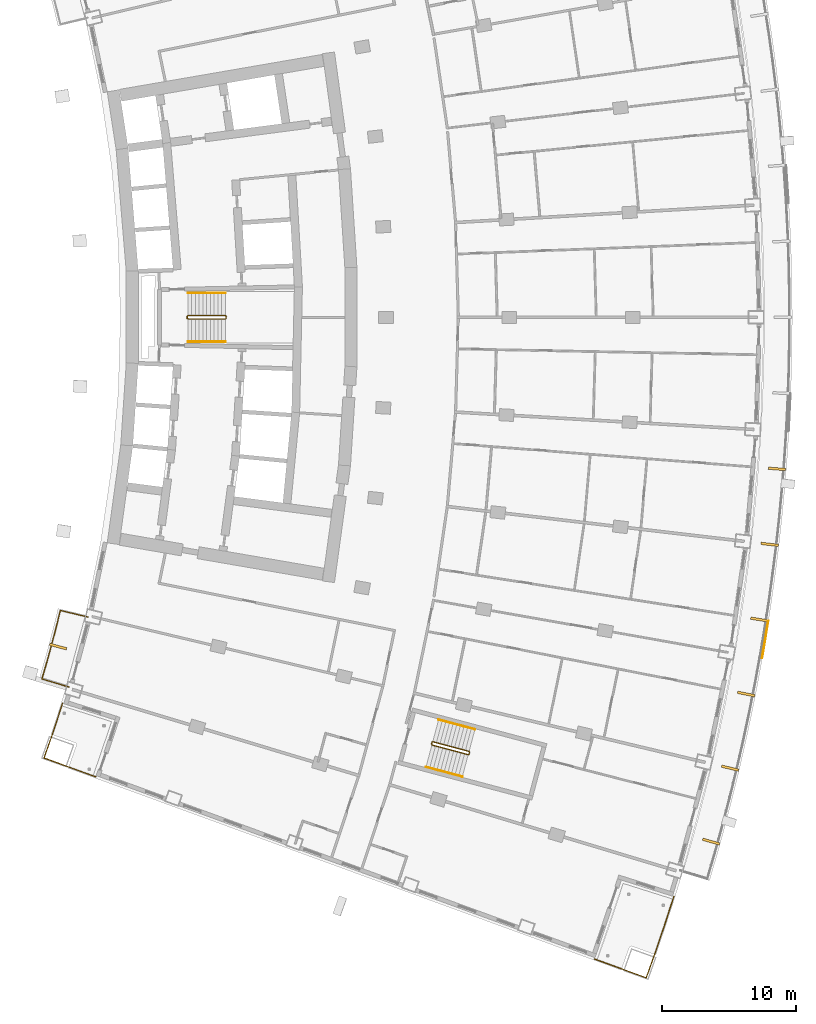
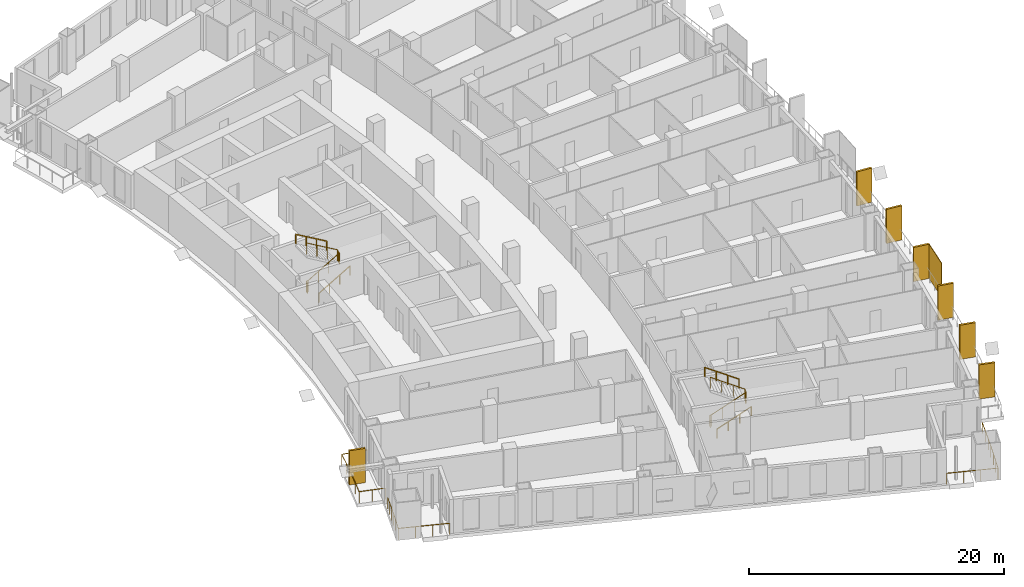
# One storey, part 22 of 24: 9 railings, 8 shading devices.
"""IFC4 building model written with IfcOpenShell, lengths in metres."""

from ifc_helpers import new_model, si_unit, direction, frame, origin, origin_with_axes, origin_2d, place, context, subcontext, project, spatial, rectangle, extrude, material, layer, layer_set, type_object, element, save


model = new_model("IFC4")

# Units and contexts
model_context = context("Model", 3, precision=1e-05, world=origin(), true_north=direction((0.0, 1.0)))
body_context = subcontext(model_context, "Body", "Model", "MODEL_VIEW")
ifc_project = project(units=[si_unit("LENGTHUNIT", "METRE"), si_unit("AREAUNIT", "SQUARE_METRE"), si_unit("VOLUMEUNIT", "CUBIC_METRE"), si_unit("PLANEANGLEUNIT", "RADIAN"), si_unit("MASSUNIT", "GRAM", prefix="KILO")], contexts=[model_context])

# Site, building, storey
site_placement = place(None, origin())
site = spatial("IfcSite", under=ifc_project, at=site_placement, CompositionType="ELEMENT")
building_placement = place(site_placement, origin())
building = spatial("IfcBuilding", under=site, at=building_placement, Name="Alderwake Tower", CompositionType="ELEMENT")
storey_placement = place(building_placement, frame((0.0, 0.0, 39.199951171875)))
storey = spatial("IfcBuildingStorey", under=building, at=storey_placement, Name="L08", CompositionType="ELEMENT", Elevation=39.199951171875)

# Railings
ifc_material_1 = material(Name="Stainless steel 316 rail and posts", Category="steel")
railing_type_1 = type_object("IfcRailingType", Name="Balcony guard 1100", PredefinedType="GUARDRAIL", material=ifc_material_1)
railing_1_placement = place(storey_placement, frame((12.16650390625, 33.435791015625, 0.0)))
element("IfcRailing", 1, at=railing_1_placement, inside=storey, type_object=railing_type_1, Name="Guard BR02", PredefinedType="GUARDRAIL", context=body_context, shape_type="SweptSolid", body=[
    extrude(rectangle(XDim=0.048095703125, YDim=0.048095703125, at=origin_2d()), frame((0.0, 0.0, 1.076171875), z_axis=(-0.958091458885, 0.286462486918, 0.0), x_axis=(-0.286462486918, -0.958091458885, 0.0)), (0.0, 0.0, 1.0), 2.099853515625),
    extrude(rectangle(XDim=0.048095703125, YDim=0.048095703125, at=origin_2d()), frame((-2.011962890625, 0.6015625, 1.076171875), z_axis=(0.279963157487, 0.960010744966, 0.0), x_axis=(-0.960010744966, 0.279963157487, 0.0)), (0.0, 0.0, 1.0), 1.272216796875),
    extrude(rectangle(XDim=0.048095703125, YDim=0.048095703125, at=origin_2d()), frame((-1.65576171875, 1.822998046875, 1.076171875), z_axis=(0.266487604617, 0.963838345671, 0.0), x_axis=(-0.963838345671, 0.266487604617, 0.0)), (0.0, 0.0, 1.0), 1.372314453125),
    extrude(rectangle(XDim=0.048095703125, YDim=0.048095703125, at=origin_2d()), frame((-1.2900390625, 3.145751953125, 1.076171875), z_axis=(0.252487086228, 0.967600264204, 0.0), x_axis=(-0.967600264204, 0.252487086228, 0.0)), (0.0, 0.0, 1.0), 1.3720703125),
    extrude(rectangle(XDim=0.048095703125, YDim=0.048095703125, at=origin_2d()), frame((-0.943603515625, 4.473388671875, 1.076171875), z_axis=(0.238877101641, 0.971049808358, 0.0), x_axis=(-0.971049808358, 0.238877101641, 0.0)), (0.0, 0.0, 1.0), 1.2724609375),
    extrude(rectangle(XDim=0.048095703125, YDim=0.048095703125, at=origin_2d()), frame((-0.6396484375, 5.708984375, 1.076171875), z_axis=(0.972646310656, -0.232291098337, 0.0), x_axis=(0.232291098337, 0.972646310656, 0.0)), (0.0, 0.0, 1.0), 2.099853515625),
    extrude(rectangle(XDim=0.0419921875, YDim=0.0419921875, at=origin_2d()), frame((0.0, 0.0, 0.0), z_axis=(0.0, 0.0, 1.0), x_axis=(-0.958091458885, 0.286462486918, 0.0)), (0.0, 0.0, 1.0), 1.052001953125),
    extrude(rectangle(XDim=0.0419921875, YDim=0.0419921875, at=origin_2d()), frame((-1.005859375, 0.30078125, 0.0), z_axis=(0.0, 0.0, 1.0), x_axis=(-0.958091458885, 0.286462486918, 0.0)), (0.0, 0.0, 1.0), 1.052001953125),
    extrude(rectangle(XDim=0.0419921875, YDim=0.0419921875, at=origin_2d()), frame((-2.011962890625, 0.6015625, 0.0), z_axis=(0.0, 0.0, 1.0), x_axis=(0.279963157487, 0.960010744966, 0.0)), (0.0, 0.0, 1.0), 1.052001953125),
    extrude(rectangle(XDim=0.0419921875, YDim=0.0419921875, at=origin_2d()), frame((-1.65576171875, 1.822998046875, 0.0), z_axis=(0.0, 0.0, 1.0), x_axis=(0.266487604617, 0.963838345671, 0.0)), (0.0, 0.0, 1.0), 1.052001953125),
    extrude(rectangle(XDim=0.0419921875, YDim=0.0419921875, at=origin_2d()), frame((-1.2900390625, 3.145751953125, 0.0), z_axis=(0.0, 0.0, 1.0), x_axis=(0.252487086228, 0.967600264204, 0.0)), (0.0, 0.0, 1.0), 1.052001953125),
    extrude(rectangle(XDim=0.0419921875, YDim=0.0419921875, at=origin_2d()), frame((-0.943603515625, 4.473388671875, 0.0), z_axis=(0.0, 0.0, 1.0), x_axis=(0.238877101641, 0.971049808358, 0.0)), (0.0, 0.0, 1.0), 1.052001953125),
    extrude(rectangle(XDim=0.0419921875, YDim=0.0419921875, at=origin_2d()), frame((-0.6396484375, 5.708984375, 0.0), z_axis=(0.0, 0.0, 1.0), x_axis=(0.972646310656, -0.232291098337, 0.0)), (0.0, 0.0, 1.0), 1.052001953125),
    extrude(rectangle(XDim=0.0419921875, YDim=0.0419921875, at=origin_2d()), frame((0.381591796875, 5.465087890625, 0.0), z_axis=(0.0, 0.0, 1.0), x_axis=(0.972646310656, -0.232291098337, 0.0)), (0.0, 0.0, 1.0), 1.052001953125),
    extrude(rectangle(XDim=0.0419921875, YDim=0.0419921875, at=origin_2d()), frame((1.40283203125, 5.22119140625, 0.0), z_axis=(0.0, 0.0, 1.0), x_axis=(0.972646310656, -0.232291098337, 0.0)), (0.0, 0.0, 1.0), 1.052001953125),
])
railing_2_placement = place(storey_placement, frame((57.2646484375, 17.806884765625, 0.0)))
element("IfcRailing", 2, at=railing_2_placement, inside=storey, type_object=railing_type_1, Name="Guard terrace FS", PredefinedType="GUARDRAIL", context=body_context, shape_type="SweptSolid", body=[
    extrude(rectangle(XDim=0.048095703125, YDim=0.048095703125, at=origin_2d()), frame((0.0, 0.0, 1.076171875), z_axis=(-0.307834426273, -0.951439943455, 0.0), x_axis=(0.951439943455, -0.307834426273, 0.0)), (0.0, 0.0, 1.0), 2.29833984375),
    extrude(rectangle(XDim=0.048095703125, YDim=0.048095703125, at=origin_2d()), frame((-0.70751953125, -2.186767578125, 1.076171875), z_axis=(-0.322259361339, -0.946651416324, 0.0), x_axis=(0.946651416324, -0.322259361339, 0.0)), (0.0, 0.0, 1.0), 2.0986328125),
    extrude(rectangle(XDim=0.048095703125, YDim=0.048095703125, at=origin_2d()), frame((-1.3837890625, -4.17333984375, 1.076171875), z_axis=(-0.335694014626, -0.941971086894, 0.0), x_axis=(0.941971086894, -0.335694014626, 0.0)), (0.0, 0.0, 1.0), 1.99853515625),
    extrude(rectangle(XDim=0.048095703125, YDim=0.048095703125, at=origin_2d()), frame((-2.0546875, -6.055908203125, 1.076171875), z_axis=(-0.939598546558, 0.342278499627, 0.0), x_axis=(-0.342278499627, -0.939598546558, 0.0)), (0.0, 0.0, 1.0), 4.099853515625),
    extrude(rectangle(XDim=0.0419921875, YDim=0.0419921875, at=origin_2d()), frame((0.0, 0.0, 0.0), z_axis=(0.0, 0.0, 1.0), x_axis=(-0.307834426273, -0.951439943455, 0.0)), (0.0, 0.0, 1.0), 1.052001953125),
    extrude(rectangle(XDim=0.0419921875, YDim=0.0419921875, at=origin_2d()), frame((-0.353759765625, -1.09326171875, 0.0), z_axis=(0.0, 0.0, 1.0), x_axis=(-0.307834426273, -0.951439943455, 0.0)), (0.0, 0.0, 1.0), 1.052001953125),
    extrude(rectangle(XDim=0.0419921875, YDim=0.0419921875, at=origin_2d()), frame((-0.70751953125, -2.186767578125, 0.0), z_axis=(0.0, 0.0, 1.0), x_axis=(-0.322259361339, -0.946651416324, 0.0)), (0.0, 0.0, 1.0), 1.052001953125),
    extrude(rectangle(XDim=0.0419921875, YDim=0.0419921875, at=origin_2d()), frame((-1.045654296875, -3.18017578125, 0.0), z_axis=(0.0, 0.0, 1.0), x_axis=(-0.322259361339, -0.946651416324, 0.0)), (0.0, 0.0, 1.0), 1.052001953125),
    extrude(rectangle(XDim=0.0419921875, YDim=0.0419921875, at=origin_2d()), frame((-1.3837890625, -4.17333984375, 0.0), z_axis=(0.0, 0.0, 1.0), x_axis=(-0.335694014626, -0.941971086894, 0.0)), (0.0, 0.0, 1.0), 1.052001953125),
    extrude(rectangle(XDim=0.0419921875, YDim=0.0419921875, at=origin_2d()), frame((-1.71923828125, -5.11474609375, 0.0), z_axis=(0.0, 0.0, 1.0), x_axis=(-0.335694014626, -0.941971086894, 0.0)), (0.0, 0.0, 1.0), 1.052001953125),
    extrude(rectangle(XDim=0.0419921875, YDim=0.0419921875, at=origin_2d()), frame((-2.0546875, -6.055908203125, 0.0), z_axis=(0.0, 0.0, 1.0), x_axis=(-0.939598546558, 0.342278499627, 0.0)), (0.0, 0.0, 1.0), 1.052001953125),
    extrude(rectangle(XDim=0.0419921875, YDim=0.0419921875, at=origin_2d()), frame((-3.3388671875, -5.588134765625, 0.0), z_axis=(0.0, 0.0, 1.0), x_axis=(-0.939598546558, 0.342278499627, 0.0)), (0.0, 0.0, 1.0), 1.052001953125),
    extrude(rectangle(XDim=0.0419921875, YDim=0.0419921875, at=origin_2d()), frame((-4.622802734375, -5.120361328125, 0.0), z_axis=(0.0, 0.0, 1.0), x_axis=(-0.939598546558, 0.342278499627, 0.0)), (0.0, 0.0, 1.0), 1.052001953125),
    extrude(rectangle(XDim=0.0419921875, YDim=0.0419921875, at=origin_2d()), frame((-5.906982421875, -4.652587890625, 0.0), z_axis=(0.0, 0.0, 1.0), x_axis=(-0.939598546558, 0.342278499627, 0.0)), (0.0, 0.0, 1.0), 1.052001953125),
])
railing_3_placement = place(storey_placement, frame((11.688720703125, 32.218017578125, 0.0)))
element("IfcRailing", 3, at=railing_3_placement, inside=storey, type_object=railing_type_1, Name="Guard terrace RS", PredefinedType="GUARDRAIL", context=body_context, shape_type="SweptSolid", body=[
    extrude(rectangle(XDim=0.048095703125, YDim=0.048095703125, at=origin_2d()), frame((0.0, 0.0, 1.076171875), z_axis=(-0.307479326145, -0.951554761426, 0.0), x_axis=(0.951554761426, -0.307479326145, 0.0)), (0.0, 0.0, 1.0), 1.6015625),
    extrude(rectangle(XDim=0.048095703125, YDim=0.048095703125, at=origin_2d()), frame((-0.492431640625, -1.52392578125, 1.076171875), z_axis=(-0.322283727344, -0.946643121292, 0.0), x_axis=(0.946643121292, -0.322283727344, 0.0)), (0.0, 0.0, 1.0), 1.4013671875),
    extrude(rectangle(XDim=0.048095703125, YDim=0.048095703125, at=origin_2d()), frame((-0.944091796875, -2.8505859375, 1.076171875), z_axis=(-0.335468607403, -0.942051385778, 0.0), x_axis=(0.942051385778, -0.335468607403, 0.0)), (0.0, 0.0, 1.0), 1.30126953125),
    extrude(rectangle(XDim=0.048095703125, YDim=0.048095703125, at=origin_2d()), frame((-1.380615234375, -4.076416015625, 1.076171875), z_axis=(0.939708203232, -0.341977327873, 0.0), x_axis=(0.341977327873, 0.939708203232, 0.0)), (0.0, 0.0, 1.0), 4.10009765625),
    extrude(rectangle(XDim=0.0419921875, YDim=0.0419921875, at=origin_2d()), frame((0.0, 0.0, 0.0), z_axis=(0.0, 0.0, 1.0), x_axis=(-0.307479326145, -0.951554761426, 0.0)), (0.0, 0.0, 1.0), 1.052001953125),
    extrude(rectangle(XDim=0.0419921875, YDim=0.0419921875, at=origin_2d()), frame((-0.24609375, -0.761962890625, 0.0), z_axis=(0.0, 0.0, 1.0), x_axis=(-0.307479326145, -0.951554761426, 0.0)), (0.0, 0.0, 1.0), 1.052001953125),
    extrude(rectangle(XDim=0.0419921875, YDim=0.0419921875, at=origin_2d()), frame((-0.492431640625, -1.52392578125, 0.0), z_axis=(0.0, 0.0, 1.0), x_axis=(-0.322283727344, -0.946643121292, 0.0)), (0.0, 0.0, 1.0), 1.052001953125),
    extrude(rectangle(XDim=0.0419921875, YDim=0.0419921875, at=origin_2d()), frame((-0.71826171875, -2.187255859375, 0.0), z_axis=(0.0, 0.0, 1.0), x_axis=(-0.322283727344, -0.946643121292, 0.0)), (0.0, 0.0, 1.0), 1.052001953125),
    extrude(rectangle(XDim=0.0419921875, YDim=0.0419921875, at=origin_2d()), frame((-0.944091796875, -2.8505859375, 0.0), z_axis=(0.0, 0.0, 1.0), x_axis=(-0.335468607403, -0.942051385778, 0.0)), (0.0, 0.0, 1.0), 1.052001953125),
    extrude(rectangle(XDim=0.0419921875, YDim=0.0419921875, at=origin_2d()), frame((-1.380615234375, -4.076416015625, 0.0), z_axis=(0.0, 0.0, 1.0), x_axis=(0.939708203232, -0.341977327873, 0.0)), (0.0, 0.0, 1.0), 1.052001953125),
    extrude(rectangle(XDim=0.0419921875, YDim=0.0419921875, at=origin_2d()), frame((-0.096435546875, -4.543701171875, 0.0), z_axis=(0.0, 0.0, 1.0), x_axis=(0.939708203232, -0.341977327873, 0.0)), (0.0, 0.0, 1.0), 1.052001953125),
    extrude(rectangle(XDim=0.0419921875, YDim=0.0419921875, at=origin_2d()), frame((1.18798828125, -5.01123046875, 0.0), z_axis=(0.0, 0.0, 1.0), x_axis=(0.939708203232, -0.341977327873, 0.0)), (0.0, 0.0, 1.0), 1.052001953125),
    extrude(rectangle(XDim=0.0419921875, YDim=0.0419921875, at=origin_2d()), frame((2.47216796875, -5.478515625, 0.0), z_axis=(0.0, 0.0, 1.0), x_axis=(0.939708203232, -0.341977327873, 0.0)), (0.0, 0.0, 1.0), 1.052001953125),
])

# Shading devices
ifc_material_2 = material(Name="Bronze anodised aluminium", Category="aluminium")
ifc_layer_1 = layer(ifc_material_2, 0.179931640625)
ifc_layer_set_1 = layer_set([ifc_layer_1], Name="Facade fin 1300")
shading_device_type_1 = type_object("IfcShadingDeviceType", Name="Facade fin 1300", PredefinedType="USERDEFINED", material=ifc_layer_set_1)
for number, where, z_axis, x_axis, name in (
    (4, (60.046630859375, 21.9091796875, 0.0), (0.0, 0.0, 1.0), (0.96318180783, -0.268850897459, 0.0), "Fin"),
    (5, (61.4609375, 27.385009765625, 0.0), (0.0, 0.0, 1.0), (0.972908790564, -0.231189284448, 0.0), "Fin"),
    (6, (62.6611328125, 32.911865234375, 0.0), (0.0, 0.0, 1.0), (0.981163751315, -0.193177879441, 0.0), "Fin"),
    (7, (63.643310546875, 38.466796875, 0.0), (0.0, 0.0, 1.0), (0.987918787879, -0.154972476771, 0.0), "Fin"),
    (8, (64.410888671875, 44.0703125, 0.0), (0.0, 0.0, 1.0), (0.993198315083, -0.116434990084, 0.0), "Fin"),
    (9, (64.960205078125, 49.69921875, 0.0), (0.0, 0.0, 1.0), (0.996975122026, -0.077721335943, 0.0), "Fin"),
    (10, (11.359375, 36.45166015625, 0.0), (0.0, 0.0, 1.0), (0.965744448231, -0.259495010957, 0.0), "Fin"),
):
    element("IfcShadingDevice", number, at=place(storey_placement, frame(where, z_axis=z_axis, x_axis=x_axis)), inside=storey, type_object=shading_device_type_1, Name=name, ObjectType="FIN", PredefinedType="USERDEFINED", context=body_context, shape_type="SweptSolid", body=[
        extrude(rectangle(XDim=1.300048828125, YDim=0.179931640625, at=origin_2d()), origin(), (0.0, 0.0, 1.0), 3.280029296875),
    ])
ifc_material_3 = material(Name="Perforated bronze anodised aluminium", Category="aluminium")
ifc_layer_2 = layer(ifc_material_3, 0.050048828125)
ifc_layer_set_2 = layer_set([ifc_layer_2], Name="Perforated screen panel")
shading_device_type_2 = type_object("IfcShadingDeviceType", Name="Perforated screen panel", PredefinedType="USERDEFINED", material=ifc_layer_set_2)
shading_device_placement = place(storey_placement, frame((64.0771484375, 36.964599609375, 0.0), z_axis=(0.0, 0.0, 1.0), x_axis=(0.986369013299, -0.164548380739, 0.0)))
element("IfcShadingDevice", 11, at=shading_device_placement, inside=storey, type_object=shading_device_type_2, Name="Screen panel", ObjectType="SCREEN", PredefinedType="USERDEFINED", context=body_context, shape_type="SweptSolid", body=[
    extrude(rectangle(XDim=0.050048828125, YDim=2.833740234375, at=origin_2d()), origin(), (0.0, 0.0, 1.0), 3.280029296875),
])

# Railings
ifc_material_4 = material(Name="Stainless steel guard", Category="steel")
railing_type_2 = type_object("IfcRailingType", Name="Stair guard 1100", PredefinedType="GUARDRAIL", material=ifc_material_4)
railing_4_placement = place(storey_placement, frame((20.989990234375, 60.925048828125, 0.0)))
element("IfcRailing", 12, at=railing_4_placement, inside=storey, type_object=railing_type_2, Name="L08 ST-B stair guard 1", PredefinedType="GUARDRAIL", context=body_context, shape_type="SweptSolid", body=[
    extrude(rectangle(XDim=0.048095703125, YDim=0.048095703125, at=origin_2d()), frame((0.0, 0.0, 1.076171875), z_axis=(0.0, 1.0, 0.0), x_axis=(-1.0, 0.0, 0.0)), (0.0, 0.0, 1.0), 0.14990234375),
    extrude(rectangle(XDim=0.048095703125, YDim=0.048095703125, at=origin_2d()), frame((0.0, 0.14990234375, 1.076171875), z_axis=(0.190199549216, -0.759870394187, 0.621627795), x_axis=(0.970072785993, 0.242814311512, 0.0)), (0.0, 0.0, 1.0), 0.26318359375),
    extrude(rectangle(XDim=0.048095703125, YDim=0.048095703125, at=origin_2d()), frame((0.050048828125, -0.050048828125, 1.23974609375), z_axis=(0.863360870873, 0.0, 0.504586966384), x_axis=(0.0, 1.0, 0.0)), (0.0, 0.0, 1.0), 3.2431640625),
    extrude(rectangle(XDim=0.048095703125, YDim=0.048095703125, at=origin_2d()), frame((2.85009765625, -0.050048828125, 2.8759765625), z_axis=(0.705375805398, 0.708833529934, 0.0), x_axis=(-0.708833529934, 0.705375805398, 0.0)), (0.0, 0.0, 1.0), 0.070556640625),
    extrude(rectangle(XDim=0.048095703125, YDim=0.048095703125, at=origin_2d()), frame((2.89990234375, 0.0, 2.8759765625), z_axis=(0.0, 1.0, 0.0), x_axis=(-1.0, 0.0, 0.0)), (0.0, 0.0, 1.0), 0.14990234375),
    extrude(rectangle(XDim=0.048095703125, YDim=0.048095703125, at=origin_2d()), frame((2.89990234375, 0.14990234375, 2.8759765625), z_axis=(-0.279546231943, 0.280916556609, 0.91811752648), x_axis=(-0.708833529934, -0.705375805398, 0.0)), (0.0, 0.0, 1.0), 0.17822265625),
    extrude(rectangle(XDim=0.048095703125, YDim=0.048095703125, at=origin_2d()), frame((2.85009765625, 0.199951171875, 3.03955078125), z_axis=(-0.863360870873, 0.0, 0.504586966384), x_axis=(0.0, -1.0, 0.0)), (0.0, 0.0, 1.0), 3.2431640625),
    extrude(rectangle(XDim=0.0419921875, YDim=0.0419921875, at=origin_2d()), frame((0.0, 0.0, 0.0), z_axis=(0.0, 0.0, 1.0), x_axis=(0.0, 1.0, 0.0)), (0.0, 0.0, 1.0), 1.052001953125),
    extrude(rectangle(XDim=0.0419921875, YDim=0.0419921875, at=origin_2d()), frame((0.0, 0.14990234375, 0.0), z_axis=(0.0, 0.0, 1.0), x_axis=(0.242814311512, -0.970072785993, 0.0)), (0.0, 0.0, 1.0), 1.052001953125),
    extrude(rectangle(XDim=0.0419921875, YDim=0.0419921875, at=origin_2d()), frame((0.050048828125, -0.050048828125, 0.16357421875), z_axis=(0.0, 0.0, 1.0), x_axis=(1.0, 0.0, 0.0)), (0.0, 0.0, 1.0), 1.052001953125),
    extrude(rectangle(XDim=0.0419921875, YDim=0.0419921875, at=origin_2d()), frame((0.9833984375, -0.050048828125, 0.708984375), z_axis=(0.0, 0.0, 1.0), x_axis=(1.0, 0.0, 0.0)), (0.0, 0.0, 1.0), 1.052001953125),
    extrude(rectangle(XDim=0.0419921875, YDim=0.0419921875, at=origin_2d()), frame((1.916748046875, -0.050048828125, 1.254638671875), z_axis=(0.0, 0.0, 1.0), x_axis=(1.0, 0.0, 0.0)), (0.0, 0.0, 1.0), 1.052001953125),
    extrude(rectangle(XDim=0.0419921875, YDim=0.0419921875, at=origin_2d()), frame((2.85009765625, -0.050048828125, 1.800048828125), z_axis=(0.0, 0.0, 1.0), x_axis=(0.705375805398, 0.708833529934, 0.0)), (0.0, 0.0, 1.0), 1.052001953125),
    extrude(rectangle(XDim=0.0419921875, YDim=0.0419921875, at=origin_2d()), frame((2.89990234375, 0.0, 1.800048828125), z_axis=(0.0, 0.0, 1.0), x_axis=(0.0, 1.0, 0.0)), (0.0, 0.0, 1.0), 1.052001953125),
    extrude(rectangle(XDim=0.0419921875, YDim=0.0419921875, at=origin_2d()), frame((2.89990234375, 0.14990234375, 1.800048828125), z_axis=(0.0, 0.0, 1.0), x_axis=(-0.705375805398, 0.708833529934, 0.0)), (0.0, 0.0, 1.0), 1.052001953125),
    extrude(rectangle(XDim=0.0419921875, YDim=0.0419921875, at=origin_2d()), frame((2.85009765625, 0.199951171875, 1.963623046875), z_axis=(0.0, 0.0, 1.0), x_axis=(-1.0, 0.0, 0.0)), (0.0, 0.0, 1.0), 1.052001953125),
    extrude(rectangle(XDim=0.0419921875, YDim=0.0419921875, at=origin_2d()), frame((1.916748046875, 0.199951171875, 2.509033203125), z_axis=(0.0, 0.0, 1.0), x_axis=(-1.0, 0.0, 0.0)), (0.0, 0.0, 1.0), 1.052001953125),
    extrude(rectangle(XDim=0.0419921875, YDim=0.0419921875, at=origin_2d()), frame((0.9833984375, 0.199951171875, 3.0546875), z_axis=(0.0, 0.0, 1.0), x_axis=(-1.0, 0.0, 0.0)), (0.0, 0.0, 1.0), 1.052001953125),
    extrude(rectangle(XDim=0.0419921875, YDim=0.0419921875, at=origin_2d()), frame((0.050048828125, 0.199951171875, 3.60009765625), z_axis=(0.0, 0.0, 1.0), x_axis=(-1.0, 0.0, 0.0)), (0.0, 0.0, 1.0), 1.052001953125),
])
railing_5_placement = place(storey_placement, frame((39.1943359375, 29.17431640625, 0.0)))
element("IfcRailing", 13, at=railing_5_placement, inside=storey, type_object=railing_type_2, Name="L08 ST-C stair guard 1", PredefinedType="GUARDRAIL", context=body_context, shape_type="SweptSolid", body=[
    extrude(rectangle(XDim=0.048095703125, YDim=0.048095703125, at=origin_2d()), frame((0.0, 0.0, 1.076171875), z_axis=(0.257459803502, 0.966289009345, 0.0), x_axis=(-0.966289009345, 0.257459803502, 0.0)), (0.0, 0.0, 1.0), 0.14990234375),
    extrude(rectangle(XDim=0.048095703125, YDim=0.048095703125, at=origin_2d()), frame((0.03857421875, 0.144775390625, 1.076171875), z_axis=(-0.012062893862, -0.783160186125, 0.621702991355), x_axis=(0.999881397308, -0.015401016783, 0.0)), (0.0, 0.0, 1.0), 0.26318359375),
    extrude(rectangle(XDim=0.048095703125, YDim=0.048095703125, at=origin_2d()), frame((0.035400390625, -0.061279296875, 1.23974609375), z_axis=(0.834281824786, -0.222214197128, 0.504573768072), x_axis=(0.257380452725, 0.966310148221, 0.0)), (0.0, 0.0, 1.0), 3.2431640625),
    extrude(rectangle(XDim=0.048095703125, YDim=0.048095703125, at=origin_2d()), frame((2.7412109375, -0.781982421875, 2.8759765625), z_axis=(0.865031189262, 0.501718089772, 0.0), x_axis=(-0.501718089772, 0.865031189262, 0.0)), (0.0, 0.0, 1.0), 0.070556640625),
    extrude(rectangle(XDim=0.048095703125, YDim=0.048095703125, at=origin_2d()), frame((2.80224609375, -0.74658203125, 2.8759765625), z_axis=(0.257055032184, 0.966396766566, 0.0), x_axis=(-0.966396766566, 0.257055032184, 0.0)), (0.0, 0.0, 1.0), 0.150146484375),
    extrude(rectangle(XDim=0.048095703125, YDim=0.048095703125, at=origin_2d()), frame((2.8408203125, -0.6015625, 2.8759765625), z_axis=(-0.198625291617, 0.343827228937, 0.91778583023), x_axis=(-0.865898279276, -0.500220121494, 0.0)), (0.0, 0.0, 1.0), 0.17822265625),
    extrude(rectangle(XDim=0.048095703125, YDim=0.048095703125, at=origin_2d()), frame((2.805419921875, -0.540283203125, 3.03955078125), z_axis=(-0.834258940753, 0.22222815314, 0.504605457487), x_axis=(-0.257402139082, -0.966304371715, 0.0)), (0.0, 0.0, 1.0), 3.2431640625),
    extrude(rectangle(XDim=0.0419921875, YDim=0.0419921875, at=origin_2d()), frame((0.0, 0.0, 0.0), z_axis=(0.0, 0.0, 1.0), x_axis=(0.257459803502, 0.966289009345, 0.0)), (0.0, 0.0, 1.0), 1.052001953125),
    extrude(rectangle(XDim=0.0419921875, YDim=0.0419921875, at=origin_2d()), frame((0.03857421875, 0.144775390625, 0.0), z_axis=(0.0, 0.0, 1.0), x_axis=(-0.015401016783, -0.999881397308, 0.0)), (0.0, 0.0, 1.0), 1.052001953125),
    extrude(rectangle(XDim=0.0419921875, YDim=0.0419921875, at=origin_2d()), frame((0.035400390625, -0.061279296875, 0.16357421875), z_axis=(0.0, 0.0, 1.0), x_axis=(0.966310148221, -0.257380452725, 0.0)), (0.0, 0.0, 1.0), 1.052001953125),
    extrude(rectangle(XDim=0.0419921875, YDim=0.0419921875, at=origin_2d()), frame((0.937255859375, -0.301513671875, 0.708984375), z_axis=(0.0, 0.0, 1.0), x_axis=(0.966310148221, -0.257380452725, 0.0)), (0.0, 0.0, 1.0), 1.052001953125),
    extrude(rectangle(XDim=0.0419921875, YDim=0.0419921875, at=origin_2d()), frame((1.83935546875, -0.541748046875, 1.254638671875), z_axis=(0.0, 0.0, 1.0), x_axis=(0.966310148221, -0.257380452725, 0.0)), (0.0, 0.0, 1.0), 1.052001953125),
    extrude(rectangle(XDim=0.0419921875, YDim=0.0419921875, at=origin_2d()), frame((2.7412109375, -0.781982421875, 1.800048828125), z_axis=(0.0, 0.0, 1.0), x_axis=(0.865031189262, 0.501718089772, 0.0)), (0.0, 0.0, 1.0), 1.052001953125),
    extrude(rectangle(XDim=0.0419921875, YDim=0.0419921875, at=origin_2d()), frame((2.80224609375, -0.74658203125, 1.800048828125), z_axis=(0.0, 0.0, 1.0), x_axis=(0.257055032184, 0.966396766566, 0.0)), (0.0, 0.0, 1.0), 1.052001953125),
    extrude(rectangle(XDim=0.0419921875, YDim=0.0419921875, at=origin_2d()), frame((2.8408203125, -0.6015625, 1.800048828125), z_axis=(0.0, 0.0, 1.0), x_axis=(-0.500220121494, 0.865898279276, 0.0)), (0.0, 0.0, 1.0), 1.052001953125),
    extrude(rectangle(XDim=0.0419921875, YDim=0.0419921875, at=origin_2d()), frame((2.805419921875, -0.540283203125, 1.963623046875), z_axis=(0.0, 0.0, 1.0), x_axis=(-0.966304371715, 0.257402139082, 0.0)), (0.0, 0.0, 1.0), 1.052001953125),
    extrude(rectangle(XDim=0.0419921875, YDim=0.0419921875, at=origin_2d()), frame((1.903564453125, -0.300048828125, 2.509033203125), z_axis=(0.0, 0.0, 1.0), x_axis=(-0.966304371715, 0.257402139082, 0.0)), (0.0, 0.0, 1.0), 1.052001953125),
    extrude(rectangle(XDim=0.0419921875, YDim=0.0419921875, at=origin_2d()), frame((1.001708984375, -0.059814453125, 3.0546875), z_axis=(0.0, 0.0, 1.0), x_axis=(-0.966304371715, 0.257402139082, 0.0)), (0.0, 0.0, 1.0), 1.052001953125),
    extrude(rectangle(XDim=0.0419921875, YDim=0.0419921875, at=origin_2d()), frame((0.099853515625, 0.180419921875, 3.60009765625), z_axis=(0.0, 0.0, 1.0), x_axis=(-0.966304371715, 0.257402139082, 0.0)), (0.0, 0.0, 1.0), 1.052001953125),
])
ifc_material_5 = material(Name="Stainless steel handrail", Category="steel")
railing_type_3 = type_object("IfcRailingType", Name="Stair handrail 900", PredefinedType="HANDRAIL", material=ifc_material_5)
railing_6_placement = place(storey_placement, frame((21.0400390625, 59.175048828125, 0.16357421875)))
element("IfcRailing", 14, at=railing_6_placement, inside=storey, type_object=railing_type_3, Name="L08 ST-B stair handrail 1", PredefinedType="HANDRAIL", context=body_context, shape_type="SweptSolid", body=[
    extrude(rectangle(XDim=0.048095703125, YDim=0.048095703125, at=origin_2d()), frame((0.0, 0.0, 0.8759765625), z_axis=(0.863360870873, 0.0, 0.504586966384), x_axis=(0.0, 1.0, 0.0)), (0.0, 0.0, 1.0), 3.2431640625),
    extrude(rectangle(XDim=0.0419921875, YDim=0.0419921875, at=origin_2d()), origin_with_axes(), (0.0, 0.0, 1.0), 0.851806640625),
    extrude(rectangle(XDim=0.0419921875, YDim=0.0419921875, at=origin_2d()), frame((0.933349609375, 0.0, 0.54541015625), z_axis=(0.0, 0.0, 1.0), x_axis=(1.0, 0.0, 0.0)), (0.0, 0.0, 1.0), 0.851806640625),
    extrude(rectangle(XDim=0.0419921875, YDim=0.0419921875, at=origin_2d()), frame((1.86669921875, 0.0, 1.091064453125), z_axis=(0.0, 0.0, 1.0), x_axis=(1.0, 0.0, 0.0)), (0.0, 0.0, 1.0), 0.851806640625),
    extrude(rectangle(XDim=0.0419921875, YDim=0.0419921875, at=origin_2d()), frame((2.800048828125, 0.0, 1.636474609375), z_axis=(0.0, 0.0, 1.0), x_axis=(1.0, 0.0, 0.0)), (0.0, 0.0, 1.0), 0.851806640625),
])
railing_7_placement = place(storey_placement, frame((23.840087890625, 62.824951171875, 1.963623046875)))
element("IfcRailing", 15, at=railing_7_placement, inside=storey, type_object=railing_type_3, Name="L08 ST-B stair handrail 2", PredefinedType="HANDRAIL", context=body_context, shape_type="SweptSolid", body=[
    extrude(rectangle(XDim=0.048095703125, YDim=0.048095703125, at=origin_2d()), frame((0.0, 0.0, 0.8759765625), z_axis=(-0.863360870873, 0.0, 0.504586966384), x_axis=(0.0, -1.0, 0.0)), (0.0, 0.0, 1.0), 3.2431640625),
    extrude(rectangle(XDim=0.0419921875, YDim=0.0419921875, at=origin_2d()), frame((0.0, 0.0, 0.0), z_axis=(0.0, 0.0, 1.0), x_axis=(-1.0, 0.0, 0.0)), (0.0, 0.0, 1.0), 0.851806640625),
    extrude(rectangle(XDim=0.0419921875, YDim=0.0419921875, at=origin_2d()), frame((-0.933349609375, 0.0, 0.54541015625), z_axis=(0.0, 0.0, 1.0), x_axis=(-1.0, 0.0, 0.0)), (0.0, 0.0, 1.0), 0.851806640625),
    extrude(rectangle(XDim=0.0419921875, YDim=0.0419921875, at=origin_2d()), frame((-1.86669921875, 0.0, 1.091064453125), z_axis=(0.0, 0.0, 1.0), x_axis=(-1.0, 0.0, 0.0)), (0.0, 0.0, 1.0), 0.851806640625),
    extrude(rectangle(XDim=0.0419921875, YDim=0.0419921875, at=origin_2d()), frame((-2.800048828125, 0.0, 1.636474609375), z_axis=(0.0, 0.0, 1.0), x_axis=(-1.0, 0.0, 0.0)), (0.0, 0.0, 1.0), 0.851806640625),
])
railing_8_placement = place(storey_placement, frame((38.792236328125, 27.47021484375, 0.16357421875)))
element("IfcRailing", 16, at=railing_8_placement, inside=storey, type_object=railing_type_3, Name="L08 ST-C stair handrail 1", PredefinedType="HANDRAIL", context=body_context, shape_type="SweptSolid", body=[
    extrude(rectangle(XDim=0.048095703125, YDim=0.048095703125, at=origin_2d()), frame((0.0, 0.0, 0.8759765625), z_axis=(0.834272895437, -0.222156588561, 0.504613898043), x_axis=(0.25732071773, 0.966326056891, 0.0)), (0.0, 0.0, 1.0), 3.242919921875),
    extrude(rectangle(XDim=0.0419921875, YDim=0.0419921875, at=origin_2d()), frame((0.0, 0.0, 0.0), z_axis=(0.0, 0.0, 1.0), x_axis=(0.966326056891, -0.25732071773, 0.0)), (0.0, 0.0, 1.0), 0.851806640625),
    extrude(rectangle(XDim=0.0419921875, YDim=0.0419921875, at=origin_2d()), frame((0.90185546875, -0.240234375, 0.54541015625), z_axis=(0.0, 0.0, 1.0), x_axis=(0.966326056891, -0.25732071773, 0.0)), (0.0, 0.0, 1.0), 0.851806640625),
    extrude(rectangle(XDim=0.0419921875, YDim=0.0419921875, at=origin_2d()), frame((1.8037109375, -0.480224609375, 1.091064453125), z_axis=(0.0, 0.0, 1.0), x_axis=(0.966326056891, -0.25732071773, 0.0)), (0.0, 0.0, 1.0), 0.851806640625),
    extrude(rectangle(XDim=0.0419921875, YDim=0.0419921875, at=origin_2d()), frame((2.70556640625, -0.720458984375, 1.636474609375), z_axis=(0.0, 0.0, 1.0), x_axis=(0.966326056891, -0.25732071773, 0.0)), (0.0, 0.0, 1.0), 0.851806640625),
])
railing_9_placement = place(storey_placement, frame((42.437255859375, 30.276611328125, 1.963623046875)))
element("IfcRailing", 17, at=railing_9_placement, inside=storey, type_object=railing_type_3, Name="L08 ST-C stair handrail 2", PredefinedType="HANDRAIL", context=body_context, shape_type="SweptSolid", body=[
    extrude(rectangle(XDim=0.048095703125, YDim=0.048095703125, at=origin_2d()), frame((0.0, 0.0, 0.8759765625), z_axis=(-0.834258940753, 0.22222815314, 0.504605457487), x_axis=(-0.257402139082, -0.966304371715, 0.0)), (0.0, 0.0, 1.0), 3.2431640625),
    extrude(rectangle(XDim=0.0419921875, YDim=0.0419921875, at=origin_2d()), frame((0.0, 0.0, 0.0), z_axis=(0.0, 0.0, 1.0), x_axis=(-0.966304371715, 0.257402139082, 0.0)), (0.0, 0.0, 1.0), 0.851806640625),
    extrude(rectangle(XDim=0.0419921875, YDim=0.0419921875, at=origin_2d()), frame((-0.90185546875, 0.240234375, 0.54541015625), z_axis=(0.0, 0.0, 1.0), x_axis=(-0.966304371715, 0.257402139082, 0.0)), (0.0, 0.0, 1.0), 0.851806640625),
    extrude(rectangle(XDim=0.0419921875, YDim=0.0419921875, at=origin_2d()), frame((-1.8037109375, 0.48046875, 1.091064453125), z_axis=(0.0, 0.0, 1.0), x_axis=(-0.966304371715, 0.257402139082, 0.0)), (0.0, 0.0, 1.0), 0.851806640625),
    extrude(rectangle(XDim=0.0419921875, YDim=0.0419921875, at=origin_2d()), frame((-2.70556640625, 0.720703125, 1.636474609375), z_axis=(0.0, 0.0, 1.0), x_axis=(-0.966304371715, 0.257402139082, 0.0)), (0.0, 0.0, 1.0), 0.851806640625),
])

save(model, "model.ifc")
